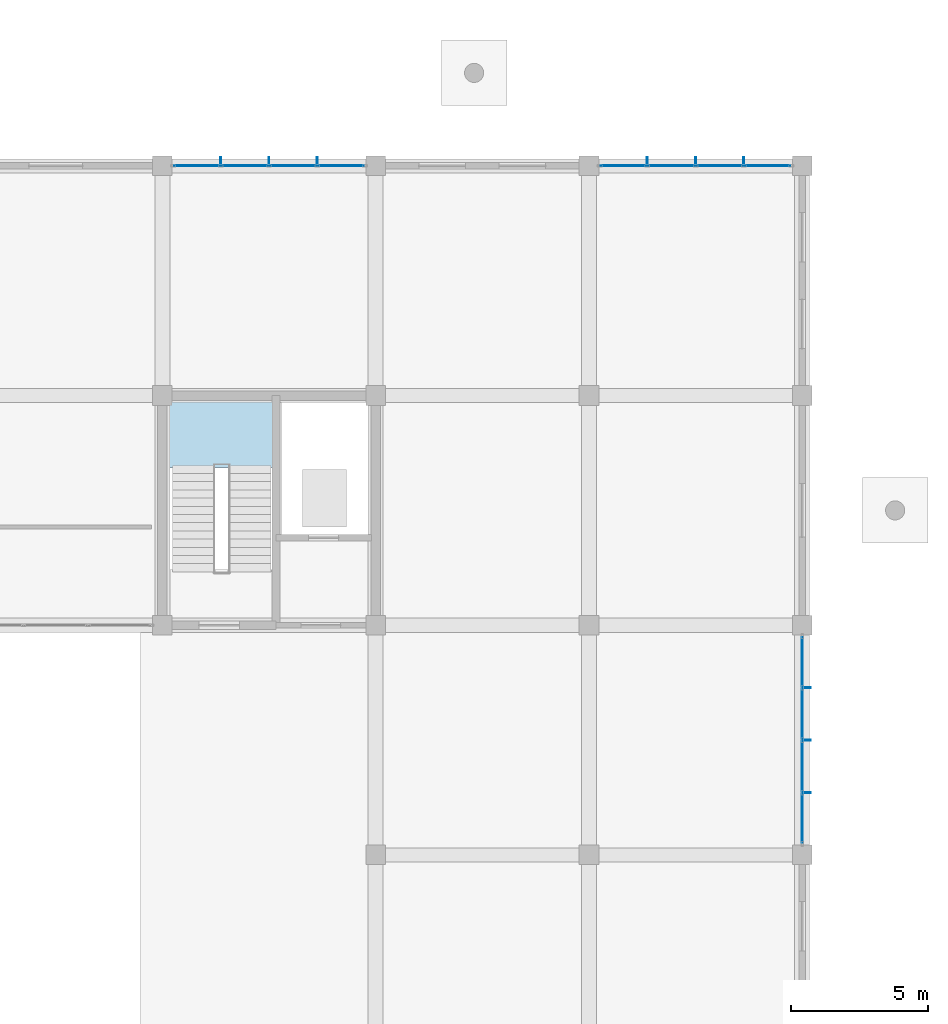
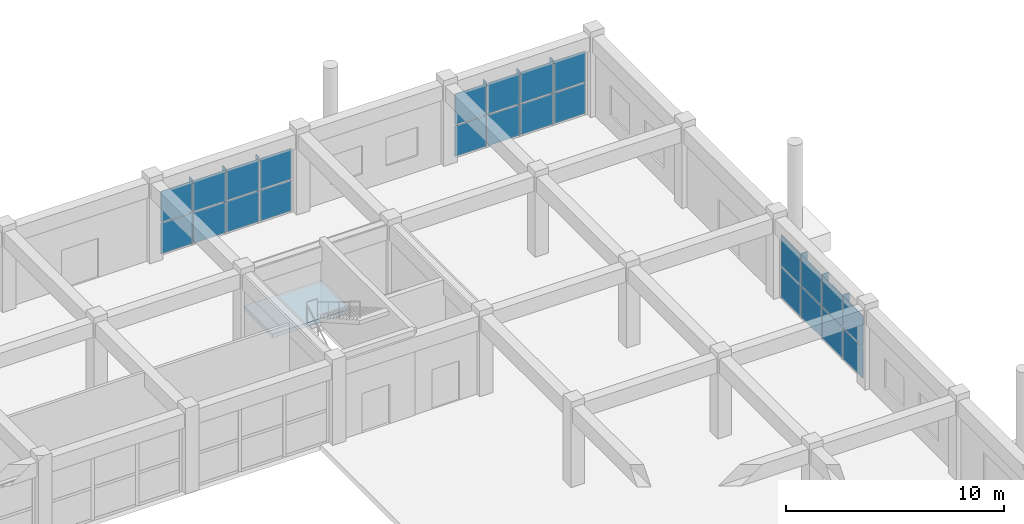
# One storey, part 117 of 139: 33 plates, 1 slab, 4 elements without a shape of their own.
"""IFC4 building model written with IfcOpenShell, lengths in metres."""

from ifc_helpers import new_model, si_unit, direction, frame, origin, origin_2d, place, context, subcontext, project, spatial, polyline, rectangle, outline, extrude, material, layer, layer_set, type_object, element, aggregate, save


model = new_model("IFC4")

# Units and contexts
model_context = context("Model", 3, precision=1e-05, world=origin(), true_north=direction((0.0, 1.0)))
body_context = subcontext(model_context, "Body", "Model", "MODEL_VIEW")
ifc_project = project(units=[si_unit("LENGTHUNIT", "METRE"), si_unit("AREAUNIT", "SQUARE_METRE"), si_unit("VOLUMEUNIT", "CUBIC_METRE"), si_unit("PLANEANGLEUNIT", "RADIAN"), si_unit("MASSUNIT", "GRAM", prefix="KILO")], contexts=[model_context])

# Site, building, storey
site_placement = place(None, origin())
site = spatial("IfcSite", under=ifc_project, at=site_placement, CompositionType="ELEMENT")
building_placement = place(site_placement, origin())
building = spatial("IfcBuilding", under=site, at=building_placement, Name="Zizhar Promenade General Hospital", CompositionType="ELEMENT")
storey_placement = place(building_placement, origin())
storey = spatial("IfcBuildingStorey", under=building, at=storey_placement, Name="L00", CompositionType="ELEMENT", Elevation=0.0)

# Curtain wall, plates
ifc_material_1 = material(Name="Anodised aluminium 6063-T6 and low-E glass", Category="aluminium")
ifc_layer_1 = layer(ifc_material_1, 0.159912109375)
ifc_layer_set_1 = layer_set([ifc_layer_1], Name="Anodised aluminium 6063-T6 and low-E glass")
curtain_wall_type = type_object("IfcCurtainWallType", Name="CW-CLN-EXT", PredefinedType="NOTDEFINED", material=ifc_layer_set_1)
curtain_wall_1_placement = place(storey_placement, origin())
curtain_wall_1 = element("IfcCurtainWall", 1, at=curtain_wall_1_placement, inside=storey, type_object=curtain_wall_type, Name="Outpatient North Curtain Wall L00-22", PredefinedType="NOTDEFINED")
ifc_material_2 = material(Name="Low-E solar-control glass", Category="glass")
ifc_layer_2 = layer(ifc_material_2, 0.031982421875)
ifc_layer_set_2 = layer_set([ifc_layer_2], Name="Low-E solar-control glass")
plate_type_1 = type_object("IfcPlateType", Name="CWP-GLZ-32", PredefinedType="CURTAIN_PANEL", material=ifc_layer_set_2)
plate_1_placement = place(storey_placement, frame((172.864990234375, 109.199951171875, 0.06005859375), z_axis=(0.0, 0.0, 1.0), x_axis=(1.0, 0.0, 0.0)))
plate_1 = element("IfcPlate", 2, at=plate_1_placement, type_object=plate_type_1, Name="CW-09 panel 1.1", PredefinedType="CURTAIN_PANEL", context=body_context, shape_type="SweptSolid", body=[
    extrude(rectangle(XDim=1.64990234375, YDim=0.031982421875, at=origin_2d()), origin(), (0.0, 0.0, 1.0), 1.72509765625),
])
plate_2_placement = place(storey_placement, frame((172.864990234375, 109.199951171875, 1.844970703125), z_axis=(0.0, 0.0, 1.0), x_axis=(1.0, 0.0, 0.0)))
plate_2 = element("IfcPlate", 3, at=plate_2_placement, type_object=plate_type_1, Name="CW-09 panel 1.2", PredefinedType="CURTAIN_PANEL", context=body_context, shape_type="SweptSolid", body=[
    extrude(rectangle(XDim=1.64990234375, YDim=0.031982421875, at=origin_2d()), origin(), (0.0, 0.0, 1.0), 1.72509765625),
])
plate_3_placement = place(storey_placement, frame((174.614990234375, 109.199951171875, 0.06005859375), z_axis=(0.0, 0.0, 1.0), x_axis=(1.0, 0.0, 0.0)))
plate_3 = element("IfcPlate", 4, at=plate_3_placement, type_object=plate_type_1, Name="CW-09 panel 2.1", PredefinedType="CURTAIN_PANEL", context=body_context, shape_type="SweptSolid", body=[
    extrude(rectangle(XDim=1.68994140625, YDim=0.031982421875, at=origin_2d()), origin(), (0.0, 0.0, 1.0), 1.72509765625),
])
plate_4_placement = place(storey_placement, frame((174.614990234375, 109.199951171875, 1.844970703125), z_axis=(0.0, 0.0, 1.0), x_axis=(1.0, 0.0, 0.0)))
plate_4 = element("IfcPlate", 5, at=plate_4_placement, type_object=plate_type_1, Name="CW-09 panel 2.2", PredefinedType="CURTAIN_PANEL", context=body_context, shape_type="SweptSolid", body=[
    extrude(rectangle(XDim=1.68994140625, YDim=0.031982421875, at=origin_2d()), origin(), (0.0, 0.0, 1.0), 1.72509765625),
])
plate_5_placement = place(storey_placement, frame((176.385009765625, 109.199951171875, 0.06005859375), z_axis=(0.0, 0.0, 1.0), x_axis=(1.0, 0.0, 0.0)))
plate_5 = element("IfcPlate", 6, at=plate_5_placement, type_object=plate_type_1, Name="CW-09 panel 3.1", PredefinedType="CURTAIN_PANEL", context=body_context, shape_type="SweptSolid", body=[
    extrude(rectangle(XDim=1.68994140625, YDim=0.031982421875, at=origin_2d()), origin(), (0.0, 0.0, 1.0), 1.72509765625),
])
plate_6_placement = place(storey_placement, frame((176.385009765625, 109.199951171875, 1.844970703125), z_axis=(0.0, 0.0, 1.0), x_axis=(1.0, 0.0, 0.0)))
plate_6 = element("IfcPlate", 7, at=plate_6_placement, type_object=plate_type_1, Name="CW-09 panel 3.2", PredefinedType="CURTAIN_PANEL", context=body_context, shape_type="SweptSolid", body=[
    extrude(rectangle(XDim=1.68994140625, YDim=0.031982421875, at=origin_2d()), origin(), (0.0, 0.0, 1.0), 1.72509765625),
])
plate_7_placement = place(storey_placement, frame((178.135009765625, 109.199951171875, 0.06005859375), z_axis=(0.0, 0.0, 1.0), x_axis=(1.0, 0.0, 0.0)))
plate_7 = element("IfcPlate", 8, at=plate_7_placement, type_object=plate_type_1, Name="CW-09 panel 4.1", PredefinedType="CURTAIN_PANEL", context=body_context, shape_type="SweptSolid", body=[
    extrude(rectangle(XDim=1.64990234375, YDim=0.031982421875, at=origin_2d()), origin(), (0.0, 0.0, 1.0), 1.72509765625),
])
plate_8_placement = place(storey_placement, frame((178.135009765625, 109.199951171875, 1.844970703125), z_axis=(0.0, 0.0, 1.0), x_axis=(1.0, 0.0, 0.0)))
plate_8 = element("IfcPlate", 9, at=plate_8_placement, type_object=plate_type_1, Name="CW-09 panel 4.2", PredefinedType="CURTAIN_PANEL", context=body_context, shape_type="SweptSolid", body=[
    extrude(rectangle(XDim=1.64990234375, YDim=0.031982421875, at=origin_2d()), origin(), (0.0, 0.0, 1.0), 1.72509765625),
])
aggregate(curtain_wall_1, [plate_1, plate_2, plate_3, plate_4, plate_5, plate_6, plate_7, plate_8])

curtain_wall_2_placement = place(storey_placement, origin())
curtain_wall_2 = element("IfcCurtainWall", 10, at=curtain_wall_2_placement, inside=storey, type_object=curtain_wall_type, Name="Outpatient North Curtain Wall L00-24", PredefinedType="NOTDEFINED")
plate_9_placement = place(storey_placement, frame((188.465087890625, 109.199951171875, 0.06005859375), z_axis=(0.0, 0.0, 1.0), x_axis=(1.0, 0.0, 0.0)))
plate_9 = element("IfcPlate", 11, at=plate_9_placement, type_object=plate_type_1, Name="CW-09 panel 1.1", PredefinedType="CURTAIN_PANEL", context=body_context, shape_type="SweptSolid", body=[
    extrude(rectangle(XDim=1.64990234375, YDim=0.031982421875, at=origin_2d()), origin(), (0.0, 0.0, 1.0), 1.72509765625),
])
plate_10_placement = place(storey_placement, frame((188.465087890625, 109.199951171875, 1.844970703125), z_axis=(0.0, 0.0, 1.0), x_axis=(1.0, 0.0, 0.0)))
plate_10 = element("IfcPlate", 12, at=plate_10_placement, type_object=plate_type_1, Name="CW-09 panel 1.2", PredefinedType="CURTAIN_PANEL", context=body_context, shape_type="SweptSolid", body=[
    extrude(rectangle(XDim=1.64990234375, YDim=0.031982421875, at=origin_2d()), origin(), (0.0, 0.0, 1.0), 1.72509765625),
])
plate_11_placement = place(storey_placement, frame((190.215087890625, 109.199951171875, 0.06005859375), z_axis=(0.0, 0.0, 1.0), x_axis=(1.0, 0.0, 0.0)))
plate_11 = element("IfcPlate", 13, at=plate_11_placement, type_object=plate_type_1, Name="CW-09 panel 2.1", PredefinedType="CURTAIN_PANEL", context=body_context, shape_type="SweptSolid", body=[
    extrude(rectangle(XDim=1.68994140625, YDim=0.031982421875, at=origin_2d()), origin(), (0.0, 0.0, 1.0), 1.72509765625),
])
plate_12_placement = place(storey_placement, frame((190.215087890625, 109.199951171875, 1.844970703125), z_axis=(0.0, 0.0, 1.0), x_axis=(1.0, 0.0, 0.0)))
plate_12 = element("IfcPlate", 14, at=plate_12_placement, type_object=plate_type_1, Name="CW-09 panel 2.2", PredefinedType="CURTAIN_PANEL", context=body_context, shape_type="SweptSolid", body=[
    extrude(rectangle(XDim=1.68994140625, YDim=0.031982421875, at=origin_2d()), origin(), (0.0, 0.0, 1.0), 1.72509765625),
])
plate_13_placement = place(storey_placement, frame((191.985107421875, 109.199951171875, 0.06005859375), z_axis=(0.0, 0.0, 1.0), x_axis=(1.0, 0.0, 0.0)))
plate_13 = element("IfcPlate", 15, at=plate_13_placement, type_object=plate_type_1, Name="CW-09 panel 3.1", PredefinedType="CURTAIN_PANEL", context=body_context, shape_type="SweptSolid", body=[
    extrude(rectangle(XDim=1.68994140625, YDim=0.031982421875, at=origin_2d()), origin(), (0.0, 0.0, 1.0), 1.72509765625),
])
plate_14_placement = place(storey_placement, frame((191.985107421875, 109.199951171875, 1.844970703125), z_axis=(0.0, 0.0, 1.0), x_axis=(1.0, 0.0, 0.0)))
plate_14 = element("IfcPlate", 16, at=plate_14_placement, type_object=plate_type_1, Name="CW-09 panel 3.2", PredefinedType="CURTAIN_PANEL", context=body_context, shape_type="SweptSolid", body=[
    extrude(rectangle(XDim=1.68994140625, YDim=0.031982421875, at=origin_2d()), origin(), (0.0, 0.0, 1.0), 1.72509765625),
])
plate_15_placement = place(storey_placement, frame((193.735107421875, 109.199951171875, 0.06005859375), z_axis=(0.0, 0.0, 1.0), x_axis=(1.0, 0.0, 0.0)))
plate_15 = element("IfcPlate", 17, at=plate_15_placement, type_object=plate_type_1, Name="CW-09 panel 4.1", PredefinedType="CURTAIN_PANEL", context=body_context, shape_type="SweptSolid", body=[
    extrude(rectangle(XDim=1.64990234375, YDim=0.031982421875, at=origin_2d()), origin(), (0.0, 0.0, 1.0), 1.72509765625),
])
plate_16_placement = place(storey_placement, frame((193.735107421875, 109.199951171875, 1.844970703125), z_axis=(0.0, 0.0, 1.0), x_axis=(1.0, 0.0, 0.0)))
plate_16 = element("IfcPlate", 18, at=plate_16_placement, type_object=plate_type_1, Name="CW-09 panel 4.2", PredefinedType="CURTAIN_PANEL", context=body_context, shape_type="SweptSolid", body=[
    extrude(rectangle(XDim=1.64990234375, YDim=0.031982421875, at=origin_2d()), origin(), (0.0, 0.0, 1.0), 1.72509765625),
])
aggregate(curtain_wall_2, [plate_9, plate_10, plate_11, plate_12, plate_13, plate_14, plate_15, plate_16])

curtain_wall_3_placement = place(storey_placement, origin())
curtain_wall_3 = element("IfcCurtainWall", 19, at=curtain_wall_3_placement, inside=storey, type_object=curtain_wall_type, Name="Outpatient East Curtain Wall L00-10", PredefinedType="NOTDEFINED")
plate_17_placement = place(storey_placement, frame((195.0, 91.06005859375, 0.06005859375), z_axis=(0.0, 0.0, 1.0), x_axis=(0.0, -1.0, 0.0)))
plate_17 = element("IfcPlate", 20, at=plate_17_placement, type_object=plate_type_1, Name="CW-09 panel 1.1", PredefinedType="CURTAIN_PANEL", context=body_context, shape_type="SweptSolid", body=[
    extrude(rectangle(XDim=1.800048828125, YDim=0.031982421875, at=origin_2d()), origin(), (0.0, 0.0, 1.0), 1.72509765625),
])
plate_18_placement = place(storey_placement, frame((195.0, 91.06005859375, 1.844970703125), z_axis=(0.0, 0.0, 1.0), x_axis=(0.0, -1.0, 0.0)))
plate_18 = element("IfcPlate", 21, at=plate_18_placement, type_object=plate_type_1, Name="CW-09 panel 1.2", PredefinedType="CURTAIN_PANEL", context=body_context, shape_type="SweptSolid", body=[
    extrude(rectangle(XDim=1.800048828125, YDim=0.031982421875, at=origin_2d()), origin(), (0.0, 0.0, 1.0), 1.72509765625),
])
plate_19_placement = place(storey_placement, frame((195.0, 89.159912109375, 0.06005859375), z_axis=(0.0, 0.0, 1.0), x_axis=(0.0, -1.0, 0.0)))
plate_19 = element("IfcPlate", 22, at=plate_19_placement, type_object=plate_type_1, Name="CW-09 panel 2.1", PredefinedType="CURTAIN_PANEL", context=body_context, shape_type="SweptSolid", body=[
    extrude(rectangle(XDim=1.840087890625, YDim=0.031982421875, at=origin_2d()), origin(), (0.0, 0.0, 1.0), 1.72509765625),
])
plate_20_placement = place(storey_placement, frame((195.0, 89.159912109375, 1.844970703125), z_axis=(0.0, 0.0, 1.0), x_axis=(0.0, -1.0, 0.0)))
plate_20 = element("IfcPlate", 23, at=plate_20_placement, type_object=plate_type_1, Name="CW-09 panel 2.2", PredefinedType="CURTAIN_PANEL", context=body_context, shape_type="SweptSolid", body=[
    extrude(rectangle(XDim=1.840087890625, YDim=0.031982421875, at=origin_2d()), origin(), (0.0, 0.0, 1.0), 1.72509765625),
])
plate_21_placement = place(storey_placement, frame((195.0, 87.239990234375, 0.06005859375), z_axis=(0.0, 0.0, 1.0), x_axis=(0.0, -1.0, 0.0)))
plate_21 = element("IfcPlate", 24, at=plate_21_placement, type_object=plate_type_1, Name="CW-09 panel 3.1", PredefinedType="CURTAIN_PANEL", context=body_context, shape_type="SweptSolid", body=[
    extrude(rectangle(XDim=1.840087890625, YDim=0.031982421875, at=origin_2d()), origin(), (0.0, 0.0, 1.0), 1.72509765625),
])
plate_22_placement = place(storey_placement, frame((195.0, 87.239990234375, 1.844970703125), z_axis=(0.0, 0.0, 1.0), x_axis=(0.0, -1.0, 0.0)))
plate_22 = element("IfcPlate", 25, at=plate_22_placement, type_object=plate_type_1, Name="CW-09 panel 3.2", PredefinedType="CURTAIN_PANEL", context=body_context, shape_type="SweptSolid", body=[
    extrude(rectangle(XDim=1.840087890625, YDim=0.031982421875, at=origin_2d()), origin(), (0.0, 0.0, 1.0), 1.72509765625),
])
plate_23_placement = place(storey_placement, frame((195.0, 85.340087890625, 0.06005859375), z_axis=(0.0, 0.0, 1.0), x_axis=(0.0, -1.0, 0.0)))
plate_23 = element("IfcPlate", 26, at=plate_23_placement, type_object=plate_type_1, Name="CW-09 panel 4.1", PredefinedType="CURTAIN_PANEL", context=body_context, shape_type="SweptSolid", body=[
    extrude(rectangle(XDim=1.800048828125, YDim=0.031982421875, at=origin_2d()), origin(), (0.0, 0.0, 1.0), 1.72509765625),
])
plate_24_placement = place(storey_placement, frame((195.0, 85.340087890625, 1.844970703125), z_axis=(0.0, 0.0, 1.0), x_axis=(0.0, -1.0, 0.0)))
plate_24 = element("IfcPlate", 27, at=plate_24_placement, type_object=plate_type_1, Name="CW-09 panel 4.2", PredefinedType="CURTAIN_PANEL", context=body_context, shape_type="SweptSolid", body=[
    extrude(rectangle(XDim=1.800048828125, YDim=0.031982421875, at=origin_2d()), origin(), (0.0, 0.0, 1.0), 1.72509765625),
])
aggregate(curtain_wall_3, [plate_17, plate_18, plate_19, plate_20, plate_21, plate_22, plate_23, plate_24])

# Plates
ifc_material_3 = material(Name="Anodised aluminium 6063-T6", Category="aluminium")
ifc_layer_3 = layer(ifc_material_3, 0.033935546875)
ifc_layer_set_3 = layer_set([ifc_layer_3], Name="Anodised aluminium 6063-T6")
plate_type_2 = type_object("IfcPlateType", Name="FIN-ALU-320", PredefinedType="USERDEFINED", material=ifc_layer_set_3)
plate_25_placement = place(storey_placement, origin())
element("IfcPlate", 28, at=plate_25_placement, inside=storey, type_object=plate_type_2, Name="Outpatient North Curtain Wall L00-22 Solar Fin 1", ObjectType="SOLAR_SHADE", PredefinedType="USERDEFINED", context=body_context, shape_type="SweptSolid", body=[
    extrude(outline(polyline([(173.712890625, 109.199951171875), (173.7470703125, 109.199951171875), (173.7470703125, 109.52001953125), (173.712890625, 109.52001953125), (173.712890625, 109.199951171875)])), origin(), (0.0, 0.0, 1.0), 3.6298828125),
])
plate_26_placement = place(storey_placement, origin())
element("IfcPlate", 29, at=plate_26_placement, inside=storey, type_object=plate_type_2, Name="Outpatient North Curtain Wall L00-22 Solar Fin 2", ObjectType="SOLAR_SHADE", PredefinedType="USERDEFINED", context=body_context, shape_type="SweptSolid", body=[
    extrude(outline(polyline([(175.48291015625, 109.199951171875), (175.51708984375, 109.199951171875), (175.51708984375, 109.52001953125), (175.48291015625, 109.52001953125), (175.48291015625, 109.199951171875)])), origin(), (0.0, 0.0, 1.0), 3.6298828125),
])
plate_27_placement = place(storey_placement, origin())
element("IfcPlate", 30, at=plate_27_placement, inside=storey, type_object=plate_type_2, Name="Outpatient North Curtain Wall L00-22 Solar Fin 3", ObjectType="SOLAR_SHADE", PredefinedType="USERDEFINED", context=body_context, shape_type="SweptSolid", body=[
    extrude(outline(polyline([(177.2529296875, 109.199951171875), (177.287109375, 109.199951171875), (177.287109375, 109.52001953125), (177.2529296875, 109.52001953125), (177.2529296875, 109.199951171875)])), origin(), (0.0, 0.0, 1.0), 3.6298828125),
])
plate_28_placement = place(storey_placement, origin())
element("IfcPlate", 31, at=plate_28_placement, inside=storey, type_object=plate_type_2, Name="Outpatient North Curtain Wall L00-24 Solar Fin 1", ObjectType="SOLAR_SHADE", PredefinedType="USERDEFINED", context=body_context, shape_type="SweptSolid", body=[
    extrude(outline(polyline([(189.31298828125, 109.199951171875), (189.346923828125, 109.199951171875), (189.346923828125, 109.52001953125), (189.31298828125, 109.52001953125), (189.31298828125, 109.199951171875)])), origin(), (0.0, 0.0, 1.0), 3.6298828125),
])
plate_29_placement = place(storey_placement, origin())
element("IfcPlate", 32, at=plate_29_placement, inside=storey, type_object=plate_type_2, Name="Outpatient North Curtain Wall L00-24 Solar Fin 2", ObjectType="SOLAR_SHADE", PredefinedType="USERDEFINED", context=body_context, shape_type="SweptSolid", body=[
    extrude(outline(polyline([(191.0830078125, 109.199951171875), (191.116943359375, 109.199951171875), (191.116943359375, 109.52001953125), (191.0830078125, 109.52001953125), (191.0830078125, 109.199951171875)])), origin(), (0.0, 0.0, 1.0), 3.6298828125),
])
plate_30_placement = place(storey_placement, origin())
element("IfcPlate", 33, at=plate_30_placement, inside=storey, type_object=plate_type_2, Name="Outpatient North Curtain Wall L00-24 Solar Fin 3", ObjectType="SOLAR_SHADE", PredefinedType="USERDEFINED", context=body_context, shape_type="SweptSolid", body=[
    extrude(outline(polyline([(192.85302734375, 109.199951171875), (192.886962890625, 109.199951171875), (192.886962890625, 109.52001953125), (192.85302734375, 109.52001953125), (192.85302734375, 109.199951171875)])), origin(), (0.0, 0.0, 1.0), 3.6298828125),
])
plate_31_placement = place(storey_placement, origin())
element("IfcPlate", 34, at=plate_31_placement, inside=storey, type_object=plate_type_2, Name="Outpatient East Curtain Wall L00-10 Solar Fin 1", ObjectType="SOLAR_SHADE", PredefinedType="USERDEFINED", context=body_context, shape_type="SweptSolid", body=[
    extrude(outline(polyline([(195.0, 90.136962890625), (195.0, 90.10302734375), (195.320068359375, 90.10302734375), (195.320068359375, 90.136962890625), (195.0, 90.136962890625)])), origin(), (0.0, 0.0, 1.0), 3.6298828125),
])
plate_32_placement = place(storey_placement, origin())
element("IfcPlate", 35, at=plate_32_placement, inside=storey, type_object=plate_type_2, Name="Outpatient East Curtain Wall L00-10 Solar Fin 2", ObjectType="SOLAR_SHADE", PredefinedType="USERDEFINED", context=body_context, shape_type="SweptSolid", body=[
    extrude(outline(polyline([(195.0, 88.217041015625), (195.0, 88.18310546875), (195.320068359375, 88.18310546875), (195.320068359375, 88.217041015625), (195.0, 88.217041015625)])), origin(), (0.0, 0.0, 1.0), 3.6298828125),
])
plate_33_placement = place(storey_placement, origin())
element("IfcPlate", 36, at=plate_33_placement, inside=storey, type_object=plate_type_2, Name="Outpatient East Curtain Wall L00-10 Solar Fin 3", ObjectType="SOLAR_SHADE", PredefinedType="USERDEFINED", context=body_context, shape_type="SweptSolid", body=[
    extrude(outline(polyline([(195.0, 86.297119140625), (195.0, 86.262939453125), (195.320068359375, 86.262939453125), (195.320068359375, 86.297119140625), (195.0, 86.297119140625)])), origin(), (0.0, 0.0, 1.0), 3.6298828125),
])

# Stair, slab
ifc_material_4 = material(Name="Concrete C35/45", Category="concrete")
stair_type = type_object("IfcStairType", Name="STR-DOG-480", PredefinedType="HALF_TURN_STAIR", material=ifc_material_4)
stair_placement = place(storey_placement, origin())
stair = element("IfcStair", 37, at=stair_placement, inside=storey, type_object=stair_type, Name="Exit Stair ST-08 (L00 to L01)", PredefinedType="HALF_TURN_STAIR")
ifc_material_5 = material(Name="Concrete C35/45", Category="concrete")
ifc_layer_4 = layer(ifc_material_5, 0.219970703125)
ifc_layer_set_4 = layer_set([ifc_layer_4], Name="Concrete C35/45")
slab_type = type_object("IfcSlabType", Name="SLB-LAND-480", PredefinedType="LANDING", material=ifc_layer_set_4)
slab_placement = place(storey_placement, frame((0.0, 0.0, 2.179931640625)))
slab = element("IfcSlab", 38, at=slab_placement, type_object=slab_type, Name="ST-08A landing 1", PredefinedType="LANDING", context=body_context, shape_type="SweptSolid", body=[
    extrude(outline(polyline([(171.60009765625, 98.169921875), (175.75, 98.169921875), (175.75, 100.800048828125), (171.60009765625, 100.800048828125), (171.60009765625, 98.169921875)])), origin(), (0.0, 0.0, 1.0), 0.219970703125),
])
aggregate(stair, [slab])

save(model, "model.ifc")
